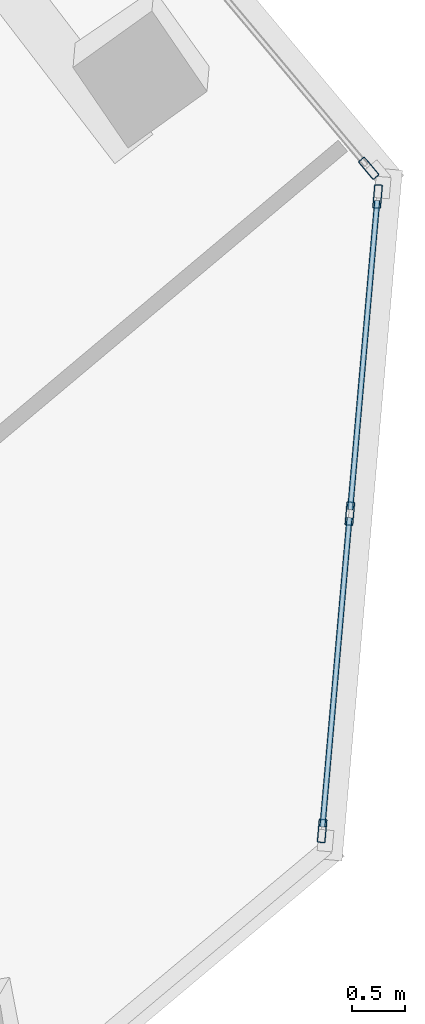
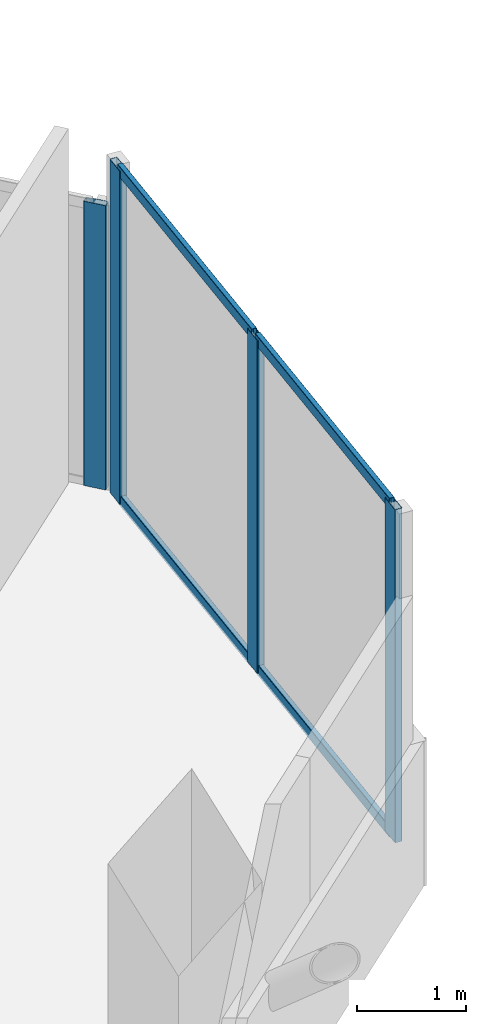
# One storey, part 6 of 17: 8 members, 2 elements without a shape of their own.
"""IFC4 building model written with IfcOpenShell, lengths in metres."""

import ifcopenshell
import ifcopenshell.guid

model = None  # the IFC model being written
_history = None  # IfcOwnerHistory: only IFC2X3 demands one
_inside = {}  # id of a spatial element -> (the spatial element, [elements in it])
_under = {}  # id of a project, library or spatial element -> (it, [spatial elements below it])
_declared = {}  # id of a project -> (the project, [libraries it declares])
_typed = {}  # id of a type object -> (the type object, [elements of that type])
_made_of = {}  # id of a material, layer set ... -> (it, [elements and type objects made of it])


def new_model(schema):
    """Start an empty IFC model of exactly this schema.

    Asked for "IFC4X3", IfcOpenShell would pick the latest addendum, in which some entities
    have other attributes; the version numbers below select the first issue.
    IFC2X3 requires an IfcOwnerHistory on every rooted entity: one is made here for all.
    """
    global model, _history
    if schema == "IFC4X3":
        model = ifcopenshell.file(schema_version=(4, 3, 0, 0))
    else:
        model = ifcopenshell.file(schema=schema)
    _inside.clear()
    _under.clear()
    _declared.clear()
    _typed.clear()
    _made_of.clear()
    _history = None
    if model.schema == "IFC2X3":
        org = make("IfcOrganization", Name="unknown")
        user = make(
            "IfcPersonAndOrganization",
            ThePerson=make("IfcPerson", FamilyName="unknown"),
            TheOrganization=org,
        )
        app = make(
            "IfcApplication",
            ApplicationDeveloper=org,
            Version="unknown",
            ApplicationFullName="unknown",
            ApplicationIdentifier="unknown",
        )
        _history = make(
            "IfcOwnerHistory",
            OwningUser=user,
            OwningApplication=app,
            ChangeAction="ADDED",
            CreationDate=0,
        )
    return model


def make(cls, **values):
    """One entity of the class cls with the attributes given. An attribute that is None is left unset."""
    return model.create_entity(
        cls, **{name: value for name, value in values.items() if value is not None}
    )


def rooted(cls, **values):
    """An entity with a GlobalId (a new one), such as an element, a storey or a relation."""
    return make(cls, GlobalId=ifcopenshell.guid.new(), OwnerHistory=_history, **values)


def si_unit(unit_type, name, prefix=None):
    """IfcSIUnit, for example si_unit("LENGTHUNIT", "METRE", prefix="MILLI")."""
    return make("IfcSIUnit", UnitType=unit_type, Prefix=prefix, Name=name)


def assignment(units):
    """IfcUnitAssignment: the units of a project."""
    return None if units is None else make("IfcUnitAssignment", Units=units)


def point(xyz):
    """IfcCartesianPoint."""
    return None if xyz is None else make("IfcCartesianPoint", Coordinates=xyz)


def direction(xyz):
    """IfcDirection."""
    return None if xyz is None else make("IfcDirection", DirectionRatios=xyz)


def frame(location, z_axis=None, x_axis=None):
    """IfcAxis2Placement3D, a coordinate frame: its origin and axes. An axis left out is left unset."""
    return make(
        "IfcAxis2Placement3D",
        Location=point(location),
        Axis=direction(z_axis),
        RefDirection=direction(x_axis),
    )


def frame_2d(location, x_axis=None):
    """IfcAxis2Placement2D, a coordinate frame in the plane: its origin and x axis."""
    return make(
        "IfcAxis2Placement2D", Location=point(location), RefDirection=direction(x_axis)
    )


def origin():
    """The frame at (0, 0, 0) with its axes left unset."""
    return frame((0.0, 0.0, 0.0))


def origin_2d():
    """The frame at (0, 0) in the plane with its x axis left unset."""
    return frame_2d((0.0, 0.0))


def place(relative_to, where):
    """IfcLocalPlacement: puts the frame where relative to a parent placement (None: the world)."""
    return make(
        "IfcLocalPlacement", PlacementRelTo=relative_to, RelativePlacement=where
    )


def context(
    kind, dimensions, precision=None, world=None, true_north=None, identifier=None
):
    """IfcGeometricRepresentationContext, for example the 3D "Model" context."""
    return make(
        "IfcGeometricRepresentationContext",
        ContextIdentifier=identifier,
        ContextType=kind,
        CoordinateSpaceDimension=dimensions,
        Precision=precision,
        WorldCoordinateSystem=world,
        TrueNorth=true_north,
    )


def subcontext(parent, identifier, kind, view, scale=None):
    """IfcGeometricRepresentationSubContext, for example "Body" below "Model"."""
    return make(
        "IfcGeometricRepresentationSubContext",
        ContextIdentifier=identifier,
        ContextType=kind,
        ParentContext=parent,
        TargetScale=scale,
        TargetView=view,
    )


def project(units=None, contexts=None):
    """IfcProject with its units and contexts."""
    return rooted(
        "IfcProject",
        Name="project",
        RepresentationContexts=contexts,
        UnitsInContext=assignment(units),
    )


def spatial(cls, under=None, at=None, **own):
    """A site, building, storey or space (cls), placed at a placement, below another one or the project."""
    s = rooted(cls, ObjectPlacement=at, **own)
    if under is not None:
        _under.setdefault(under.id(), (under, []))[1].append(s)
    return s


def profile(cls, at=None, kind="AREA", **sizes):
    """A parametric profile (cls). Its sizes go by their IFC names, for example OverallWidth=200.0."""
    return make(cls, ProfileType=kind, Position=at, **sizes)


def hollow_rectangle(**sizes):
    """IfcRectangleHollowProfileDef."""
    return profile("IfcRectangleHollowProfileDef", **sizes)


def extrude(swept, where, along, depth):
    """IfcExtrudedAreaSolid: the profile swept, set in the frame where, extruded along a direction by depth."""
    return make(
        "IfcExtrudedAreaSolid",
        SweptArea=swept,
        Position=where,
        ExtrudedDirection=direction(along),
        Depth=depth,
    )


def shape(context_of_items, identifier, shape_type, items):
    """IfcShapeRepresentation: the items that make up one representation, for example the "Body"."""
    return make(
        "IfcShapeRepresentation",
        ContextOfItems=context_of_items,
        RepresentationIdentifier=identifier,
        RepresentationType=shape_type,
        Items=items,
    )


def source(mapping_origin, context_of_items, identifier, shape_type, items):
    """IfcRepresentationMap: a shape defined once, which mapped items show again and again."""
    return make(
        "IfcRepresentationMap",
        MappingOrigin=mapping_origin,
        MappedRepresentation=shape(context_of_items, identifier, shape_type, items),
    )


def transform(
    local_origin,
    x_axis=None,
    y_axis=None,
    z_axis=None,
    scale=None,
    scale2=None,
    scale3=None,
    uniform=True,
):
    """IfcCartesianTransformationOperator3D, or its non-uniform kind. x_axis, y_axis, z_axis: its Axis1, 2, 3."""
    if uniform:
        return make(
            "IfcCartesianTransformationOperator3D",
            Axis1=direction(x_axis),
            Axis2=direction(y_axis),
            LocalOrigin=point(local_origin),
            Scale=scale,
            Axis3=direction(z_axis),
        )
    return make(
        "IfcCartesianTransformationOperator3DnonUniform",
        Axis1=direction(x_axis),
        Axis2=direction(y_axis),
        LocalOrigin=point(local_origin),
        Scale=scale,
        Axis3=direction(z_axis),
        Scale2=scale2,
        Scale3=scale3,
    )


def mapped(mapping_source, mapping_target):
    """IfcMappedItem: shows the shape of a source again, moved by a transform."""
    return make(
        "IfcMappedItem", MappingSource=mapping_source, MappingTarget=mapping_target
    )


def material(Name=None, Category=None):
    """IfcMaterial."""
    return make("IfcMaterial", Name=Name, Category=Category)


def material_profile(
    of_material, cross_section, Name=None, Category=None, Priority=None
):
    """IfcMaterialProfile: a cross section and its material."""
    return make(
        "IfcMaterialProfile",
        Name=Name,
        Material=of_material,
        Profile=cross_section,
        Priority=Priority,
        Category=Category,
    )


def profile_set(profiles, Name=None, composite=None):
    """IfcMaterialProfileSet."""
    return make(
        "IfcMaterialProfileSet",
        Name=Name,
        MaterialProfiles=profiles,
        CompositeProfile=composite,
    )


def made_of(thing, what):
    """Note that an element or type object is made of a material, layer set ...; save() writes the relation."""
    if what is not None:
        _made_of.setdefault(what.id(), (what, []))[1].append(thing)
    return thing


def type_object(cls, material=None, **own):
    """A type object (cls), such as IfcWallType, which elements share."""
    return made_of(rooted(cls, **own), material)


def element(
    cls,
    number,
    at=None,
    inside=None,
    cuts=None,
    type_object=None,
    material=None,
    context=None,
    identifier="Body",
    shape_type=None,
    held_by="IfcProductDefinitionShape",
    body=None,
    shapes=None,
    **own,
):
    """One element of the class cls, such as IfcWall. Its Tag is "e" and its number.

    at: its placement. inside: the storey or other place that contains it. cuts: it is an
    opening in that element (IfcRelVoidsElement). A single representation is given by context,
    identifier, shape_type and body (its items); several are given by shapes. held_by: the class
    of the entity that holds the representations. save() writes the other relations.
    """
    e = rooted(cls, Tag="e%d" % number, ObjectPlacement=at, **own)
    if body is not None:
        shapes = [shape(context, identifier, shape_type, body)]
    if shapes is not None:
        e.Representation = make(held_by, Representations=shapes)
    if inside is not None:
        _inside.setdefault(inside.id(), (inside, []))[1].append(e)
    if cuts is not None:
        rooted(
            "IfcRelVoidsElement", RelatingBuildingElement=cuts, RelatedOpeningElement=e
        )
    if type_object is not None:
        _typed.setdefault(type_object.id(), (type_object, []))[1].append(e)
    return made_of(e, material)


def aggregate(whole, parts):
    """IfcRelAggregates: a whole, such as a stair, and the parts it consists of."""
    return rooted("IfcRelAggregates", RelatingObject=whole, RelatedObjects=parts)


def save(model, path):
    """Write the relations noted so far, then the file.

    IfcRelAggregates (storeys below a building ...), IfcRelContainedInSpatialStructure (elements
    in a storey), IfcRelDefinesByType, IfcRelAssociatesMaterial and IfcRelDeclares: one each for
    every whole, place, type object, material and project.
    """
    for whole, parts in _under.values():
        aggregate(whole, parts)
    for where, things in _inside.values():
        rooted(
            "IfcRelContainedInSpatialStructure",
            RelatedElements=things,
            RelatingStructure=where,
        )
    for kind, things in _typed.values():
        rooted("IfcRelDefinesByType", RelatedObjects=things, RelatingType=kind)
    for what, things in _made_of.values():
        rooted("IfcRelAssociatesMaterial", RelatedObjects=things, RelatingMaterial=what)
    for by, libraries in _declared.values():
        rooted("IfcRelDeclares", RelatingContext=by, RelatedDefinitions=libraries)
    model.write(path)


model = new_model("IFC4")

# Units and contexts
model_context = context("Model", 3, precision=1e-05, world=origin(), true_north=direction((0.0, 1.0)))
body_context = subcontext(model_context, "Body", "Model", "MODEL_VIEW")
ifc_project = project(units=[si_unit("LENGTHUNIT", "METRE"), si_unit("AREAUNIT", "SQUARE_METRE"), si_unit("VOLUMEUNIT", "CUBIC_METRE"), si_unit("PLANEANGLEUNIT", "RADIAN"), si_unit("MASSUNIT", "GRAM", prefix="KILO")], contexts=[model_context])

# Site, building, storey
site_placement = place(None, origin())
site = spatial("IfcSite", under=ifc_project, at=site_placement, CompositionType="ELEMENT")
building_placement = place(site_placement, origin())
building = spatial("IfcBuilding", under=site, at=building_placement, Name="Torre Montelarca", CompositionType="ELEMENT")
storey_placement = place(building_placement, frame((0.0, 0.0, 275.199951171875)))
storey = spatial("IfcBuildingStorey", under=building, at=storey_placement, Name="L62", CompositionType="ELEMENT", Elevation=275.199951171875)

# Curtain wall, members
ifc_material_1 = material(Name="Insulated low-E laminated glass", Category="glass")
curtain_wall_type = type_object("IfcCurtainWallType", Name="CW-SYS-Z3", PredefinedType="USERDEFINED", material=ifc_material_1)
curtain_wall_1_placement = place(storey_placement, origin())
curtain_wall_1 = element("IfcCurtainWall", 1, at=curtain_wall_1_placement, inside=storey, type_object=curtain_wall_type, Name="L62 Curtain Wall Run CW-T3-L62-E07-B1", ObjectType="UNITISED GLAZING", PredefinedType="USERDEFINED")
ifc_material_2 = material(Name="Anodised aluminium AA 6063-T6", Category="aluminium")
ifc_material_profile_1 = material_profile(ifc_material_2, hollow_rectangle(XDim=0.054931640625, YDim=0.1201171875, WallThickness=0.00341796875, InnerFilletRadius=0.00341796875, OuterFilletRadius=0.007080078125, at=origin_2d()), Name="ALU55X120X3.5", Category="aluminium")
ifc_profile_set_1 = profile_set([ifc_material_profile_1], Name="Anodised aluminium AA 6063-T6")
member_type_1 = type_object("IfcMemberType", Name="CWT-ALU120", PredefinedType="USERDEFINED", material=ifc_profile_set_1)
shared_shape_1 = source(origin(), body_context, "Body", "SweptSolid", [
    extrude(hollow_rectangle(XDim=0.054931640625, YDim=0.1201171875, WallThickness=0.00341796875, InnerFilletRadius=0.00341796875, OuterFilletRadius=0.007080078125, at=origin_2d()), origin(), (0.0, 0.0, 1.0), 2.903564453125),
])
member_1_placement = place(storey_placement, frame((44.10986328125, 23.378662109375, 0.027587890625), z_axis=(0.087191982893, 0.996191526826, 0.0), x_axis=(-0.996191526826, 0.087191982893, 0.0)))
member_1 = element("IfcMember", 2, at=member_1_placement, type_object=member_type_1, Name="CW transom 1.1", ObjectType="TRANSOM", PredefinedType="USERDEFINED", context=body_context, shape_type="MappedRepresentation", body=[
    mapped(shared_shape_1, transform((0.0, 0.0, 0.0), scale=1.0)),
])
member_2_placement = place(storey_placement, frame((44.10986328125, 23.378662109375, 3.692626953125), z_axis=(0.087191982893, 0.996191526826, 0.0), x_axis=(-0.996191526826, 0.087191982893, 0.0)))
member_2 = element("IfcMember", 3, at=member_2_placement, type_object=member_type_1, Name="CW transom 1.2", ObjectType="TRANSOM", PredefinedType="USERDEFINED", context=body_context, shape_type="MappedRepresentation", body=[
    mapped(shared_shape_1, transform((0.0, 0.0, 0.0), scale=1.0)),
])
shared_shape_2 = source(origin(), body_context, "Body", "SweptSolid", [
    extrude(hollow_rectangle(XDim=0.054931640625, YDim=0.1201171875, WallThickness=0.00341796875, InnerFilletRadius=0.00341796875, OuterFilletRadius=0.007080078125, at=origin_2d()), origin(), (0.0, 0.0, 1.0), 2.9033203125),
])
member_3_placement = place(storey_placement, frame((44.369384765625, 26.345947265625, 0.027587890625), z_axis=(0.08719928677, 0.996190887524, 0.0), x_axis=(-0.996190887524, 0.08719928677, 0.0)))
member_3 = element("IfcMember", 4, at=member_3_placement, type_object=member_type_1, Name="CW transom 2.1", ObjectType="TRANSOM", PredefinedType="USERDEFINED", context=body_context, shape_type="MappedRepresentation", body=[
    mapped(shared_shape_2, transform((0.0, 0.0, 0.0), scale=1.0)),
])
member_4_placement = place(storey_placement, frame((44.369384765625, 26.345947265625, 3.692626953125), z_axis=(0.08719928677, 0.996190887524, 0.0), x_axis=(-0.996190887524, 0.08719928677, 0.0)))
member_4 = element("IfcMember", 5, at=member_4_placement, type_object=member_type_1, Name="CW transom 2.2", ObjectType="TRANSOM", PredefinedType="USERDEFINED", context=body_context, shape_type="MappedRepresentation", body=[
    mapped(shared_shape_2, transform((0.0, 0.0, 0.0), scale=1.0)),
])
ifc_material_profile_2 = material_profile(ifc_material_2, hollow_rectangle(XDim=0.074951171875, YDim=0.219970703125, WallThickness=0.0048828125, InnerFilletRadius=0.0048828125, OuterFilletRadius=0.010009765625, at=origin_2d()), Name="ALU75X220X5", Category="aluminium")
ifc_profile_set_2 = profile_set([ifc_material_profile_2], Name="Anodised aluminium AA 6063-T6")
member_type_2 = type_object("IfcMemberType", Name="CWM-ALU220", PredefinedType="MULLION", material=ifc_profile_set_2)
shared_shape_3 = source(origin(), body_context, "Body", "SweptSolid", [
    extrude(hollow_rectangle(XDim=0.074951171875, YDim=0.219970703125, WallThickness=0.0048828125, InnerFilletRadius=0.0048828125, OuterFilletRadius=0.010009765625, at=origin_2d()), origin(), (0.0, 0.0, 1.0), 3.719970703125),
])
member_5_placement = place(storey_placement, frame((44.106689453125, 23.34130859375, 0.0), z_axis=(0.0, 0.0, 1.0), x_axis=(-0.996193789473, 0.087166127681, 0.0)))
member_5 = element("IfcMember", 6, at=member_5_placement, type_object=member_type_2, Name="CW mullion 1", PredefinedType="MULLION", context=body_context, shape_type="MappedRepresentation", body=[
    mapped(shared_shape_3, transform((0.0, 0.0, 0.0), scale=1.0)),
])
member_6_placement = place(storey_placement, frame((44.3662109375, 26.30859375, 0.0), z_axis=(0.0, 0.0, 1.0), x_axis=(-0.996193789473, 0.087166127681, 0.0)))
member_6 = element("IfcMember", 7, at=member_6_placement, type_object=member_type_2, Name="CW mullion 2", PredefinedType="MULLION", context=body_context, shape_type="MappedRepresentation", body=[
    mapped(shared_shape_3, transform((0.0, 0.0, 0.0), scale=1.0)),
])
member_7_placement = place(storey_placement, frame((44.625732421875, 29.275634765625, 0.0), z_axis=(0.0, 0.0, 1.0), x_axis=(-0.996193789473, 0.087166127681, 0.0)))
member_7 = element("IfcMember", 8, at=member_7_placement, type_object=member_type_2, Name="CW mullion 3", PredefinedType="MULLION", context=body_context, shape_type="MappedRepresentation", body=[
    mapped(shared_shape_3, transform((0.0, 0.0, 0.0), scale=1.0)),
])
aggregate(curtain_wall_1, [member_5, member_6, member_7, member_1, member_2, member_3, member_4])

# Curtain wall, member
curtain_wall_2_placement = place(storey_placement, origin())
curtain_wall_2 = element("IfcCurtainWall", 9, at=curtain_wall_2_placement, inside=storey, type_object=curtain_wall_type, Name="L62 Curtain Wall Run CW-T3-L62-E08-B1", ObjectType="UNITISED GLAZING", PredefinedType="USERDEFINED")
shared_shape_4 = source(origin(), body_context, "Body", "SweptSolid", [
    extrude(hollow_rectangle(XDim=0.074951171875, YDim=0.219970703125, WallThickness=0.0048828125, InnerFilletRadius=0.0048828125, OuterFilletRadius=0.010009765625, at=origin_2d()), origin(), (0.0, 0.0, 1.0), 3.175048828125),
])
member_8_placement = place(storey_placement, frame((44.542724609375, 29.539306640625, 0.0), z_axis=(0.0, 0.0, 1.0), x_axis=(-0.766046755716, -0.642784853631, 0.0)))
member_8 = element("IfcMember", 10, at=member_8_placement, type_object=member_type_2, Name="CW mullion 1", PredefinedType="MULLION", context=body_context, shape_type="MappedRepresentation", body=[
    mapped(shared_shape_4, transform((0.0, 0.0, 0.0), scale=1.0)),
])
aggregate(curtain_wall_2, [member_8])

save(model, "model.ifc")
